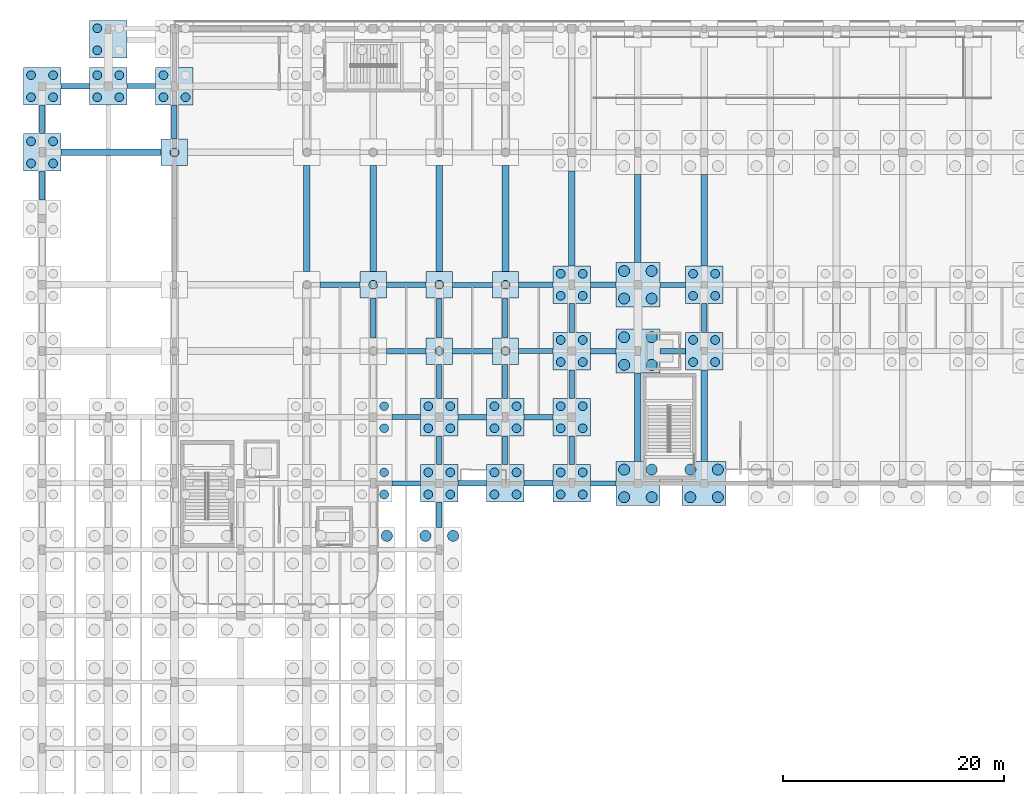
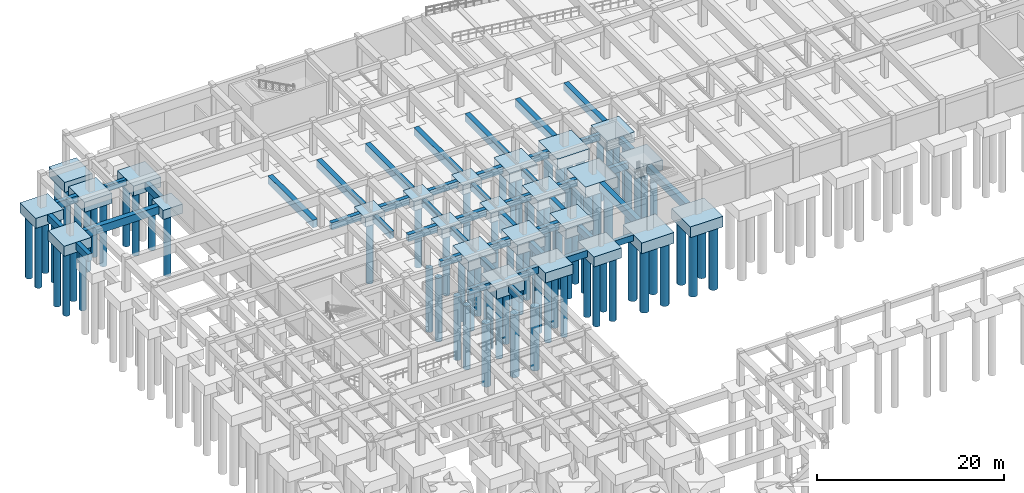
# One storey, part 5 of 32: 86 piles, 70 footings.
"""IFC4 building model written with IfcOpenShell, lengths in metres."""

import ifcopenshell
import ifcopenshell.guid

model = None  # the IFC model being written
_history = None  # IfcOwnerHistory: only IFC2X3 demands one
_inside = {}  # id of a spatial element -> (the spatial element, [elements in it])
_under = {}  # id of a project, library or spatial element -> (it, [spatial elements below it])
_declared = {}  # id of a project -> (the project, [libraries it declares])
_typed = {}  # id of a type object -> (the type object, [elements of that type])
_made_of = {}  # id of a material, layer set ... -> (it, [elements and type objects made of it])


def new_model(schema):
    """Start an empty IFC model of exactly this schema.

    Asked for "IFC4X3", IfcOpenShell would pick the latest addendum, in which some entities
    have other attributes; the version numbers below select the first issue.
    IFC2X3 requires an IfcOwnerHistory on every rooted entity: one is made here for all.
    """
    global model, _history
    if schema == "IFC4X3":
        model = ifcopenshell.file(schema_version=(4, 3, 0, 0))
    else:
        model = ifcopenshell.file(schema=schema)
    _inside.clear()
    _under.clear()
    _declared.clear()
    _typed.clear()
    _made_of.clear()
    _history = None
    if model.schema == "IFC2X3":
        org = make("IfcOrganization", Name="unknown")
        user = make(
            "IfcPersonAndOrganization",
            ThePerson=make("IfcPerson", FamilyName="unknown"),
            TheOrganization=org,
        )
        app = make(
            "IfcApplication",
            ApplicationDeveloper=org,
            Version="unknown",
            ApplicationFullName="unknown",
            ApplicationIdentifier="unknown",
        )
        _history = make(
            "IfcOwnerHistory",
            OwningUser=user,
            OwningApplication=app,
            ChangeAction="ADDED",
            CreationDate=0,
        )
    return model


def make(cls, **values):
    """One entity of the class cls with the attributes given. An attribute that is None is left unset."""
    return model.create_entity(
        cls, **{name: value for name, value in values.items() if value is not None}
    )


def rooted(cls, **values):
    """An entity with a GlobalId (a new one), such as an element, a storey or a relation."""
    return make(cls, GlobalId=ifcopenshell.guid.new(), OwnerHistory=_history, **values)


def si_unit(unit_type, name, prefix=None):
    """IfcSIUnit, for example si_unit("LENGTHUNIT", "METRE", prefix="MILLI")."""
    return make("IfcSIUnit", UnitType=unit_type, Prefix=prefix, Name=name)


def assignment(units):
    """IfcUnitAssignment: the units of a project."""
    return None if units is None else make("IfcUnitAssignment", Units=units)


def point(xyz):
    """IfcCartesianPoint."""
    return None if xyz is None else make("IfcCartesianPoint", Coordinates=xyz)


def direction(xyz):
    """IfcDirection."""
    return None if xyz is None else make("IfcDirection", DirectionRatios=xyz)


def frame(location, z_axis=None, x_axis=None):
    """IfcAxis2Placement3D, a coordinate frame: its origin and axes. An axis left out is left unset."""
    return make(
        "IfcAxis2Placement3D",
        Location=point(location),
        Axis=direction(z_axis),
        RefDirection=direction(x_axis),
    )


def frame_2d(location, x_axis=None):
    """IfcAxis2Placement2D, a coordinate frame in the plane: its origin and x axis."""
    return make(
        "IfcAxis2Placement2D", Location=point(location), RefDirection=direction(x_axis)
    )


def origin():
    """The frame at (0, 0, 0) with its axes left unset."""
    return frame((0.0, 0.0, 0.0))


def origin_2d():
    """The frame at (0, 0) in the plane with its x axis left unset."""
    return frame_2d((0.0, 0.0))


def place(relative_to, where):
    """IfcLocalPlacement: puts the frame where relative to a parent placement (None: the world)."""
    return make(
        "IfcLocalPlacement", PlacementRelTo=relative_to, RelativePlacement=where
    )


def context(
    kind, dimensions, precision=None, world=None, true_north=None, identifier=None
):
    """IfcGeometricRepresentationContext, for example the 3D "Model" context."""
    return make(
        "IfcGeometricRepresentationContext",
        ContextIdentifier=identifier,
        ContextType=kind,
        CoordinateSpaceDimension=dimensions,
        Precision=precision,
        WorldCoordinateSystem=world,
        TrueNorth=true_north,
    )


def subcontext(parent, identifier, kind, view, scale=None):
    """IfcGeometricRepresentationSubContext, for example "Body" below "Model"."""
    return make(
        "IfcGeometricRepresentationSubContext",
        ContextIdentifier=identifier,
        ContextType=kind,
        ParentContext=parent,
        TargetScale=scale,
        TargetView=view,
    )


def project(units=None, contexts=None):
    """IfcProject with its units and contexts."""
    return rooted(
        "IfcProject",
        Name="project",
        RepresentationContexts=contexts,
        UnitsInContext=assignment(units),
    )


def spatial(cls, under=None, at=None, **own):
    """A site, building, storey or space (cls), placed at a placement, below another one or the project."""
    s = rooted(cls, ObjectPlacement=at, **own)
    if under is not None:
        _under.setdefault(under.id(), (under, []))[1].append(s)
    return s


def profile(cls, at=None, kind="AREA", **sizes):
    """A parametric profile (cls). Its sizes go by their IFC names, for example OverallWidth=200.0."""
    return make(cls, ProfileType=kind, Position=at, **sizes)


def rectangle(**sizes):
    """IfcRectangleProfileDef."""
    return profile("IfcRectangleProfileDef", **sizes)


def circle(**sizes):
    """IfcCircleProfileDef."""
    return profile("IfcCircleProfileDef", **sizes)


def extrude(swept, where, along, depth):
    """IfcExtrudedAreaSolid: the profile swept, set in the frame where, extruded along a direction by depth."""
    return make(
        "IfcExtrudedAreaSolid",
        SweptArea=swept,
        Position=where,
        ExtrudedDirection=direction(along),
        Depth=depth,
    )


def shape(context_of_items, identifier, shape_type, items):
    """IfcShapeRepresentation: the items that make up one representation, for example the "Body"."""
    return make(
        "IfcShapeRepresentation",
        ContextOfItems=context_of_items,
        RepresentationIdentifier=identifier,
        RepresentationType=shape_type,
        Items=items,
    )


def material(Name=None, Category=None):
    """IfcMaterial."""
    return make("IfcMaterial", Name=Name, Category=Category)


def material_profile(
    of_material, cross_section, Name=None, Category=None, Priority=None
):
    """IfcMaterialProfile: a cross section and its material."""
    return make(
        "IfcMaterialProfile",
        Name=Name,
        Material=of_material,
        Profile=cross_section,
        Priority=Priority,
        Category=Category,
    )


def profile_set(profiles, Name=None, composite=None):
    """IfcMaterialProfileSet."""
    return make(
        "IfcMaterialProfileSet",
        Name=Name,
        MaterialProfiles=profiles,
        CompositeProfile=composite,
    )


def made_of(thing, what):
    """Note that an element or type object is made of a material, layer set ...; save() writes the relation."""
    if what is not None:
        _made_of.setdefault(what.id(), (what, []))[1].append(thing)
    return thing


def type_object(cls, material=None, **own):
    """A type object (cls), such as IfcWallType, which elements share."""
    return made_of(rooted(cls, **own), material)


def element(
    cls,
    number,
    at=None,
    inside=None,
    cuts=None,
    type_object=None,
    material=None,
    context=None,
    identifier="Body",
    shape_type=None,
    held_by="IfcProductDefinitionShape",
    body=None,
    shapes=None,
    **own,
):
    """One element of the class cls, such as IfcWall. Its Tag is "e" and its number.

    at: its placement. inside: the storey or other place that contains it. cuts: it is an
    opening in that element (IfcRelVoidsElement). A single representation is given by context,
    identifier, shape_type and body (its items); several are given by shapes. held_by: the class
    of the entity that holds the representations. save() writes the other relations.
    """
    e = rooted(cls, Tag="e%d" % number, ObjectPlacement=at, **own)
    if body is not None:
        shapes = [shape(context, identifier, shape_type, body)]
    if shapes is not None:
        e.Representation = make(held_by, Representations=shapes)
    if inside is not None:
        _inside.setdefault(inside.id(), (inside, []))[1].append(e)
    if cuts is not None:
        rooted(
            "IfcRelVoidsElement", RelatingBuildingElement=cuts, RelatedOpeningElement=e
        )
    if type_object is not None:
        _typed.setdefault(type_object.id(), (type_object, []))[1].append(e)
    return made_of(e, material)


def aggregate(whole, parts):
    """IfcRelAggregates: a whole, such as a stair, and the parts it consists of."""
    return rooted("IfcRelAggregates", RelatingObject=whole, RelatedObjects=parts)


def save(model, path):
    """Write the relations noted so far, then the file.

    IfcRelAggregates (storeys below a building ...), IfcRelContainedInSpatialStructure (elements
    in a storey), IfcRelDefinesByType, IfcRelAssociatesMaterial and IfcRelDeclares: one each for
    every whole, place, type object, material and project.
    """
    for whole, parts in _under.values():
        aggregate(whole, parts)
    for where, things in _inside.values():
        rooted(
            "IfcRelContainedInSpatialStructure",
            RelatedElements=things,
            RelatingStructure=where,
        )
    for kind, things in _typed.values():
        rooted("IfcRelDefinesByType", RelatedObjects=things, RelatingType=kind)
    for what, things in _made_of.values():
        rooted("IfcRelAssociatesMaterial", RelatedObjects=things, RelatingMaterial=what)
    for by, libraries in _declared.values():
        rooted("IfcRelDeclares", RelatingContext=by, RelatedDefinitions=libraries)
    model.write(path)


model = new_model("IFC4")

# Units and contexts
model_context = context("Model", 3, precision=1e-05, world=origin(), true_north=direction((0.0, 1.0)))
body_context = subcontext(model_context, "Body", "Model", "MODEL_VIEW")
ifc_project = project(units=[si_unit("LENGTHUNIT", "METRE"), si_unit("AREAUNIT", "SQUARE_METRE"), si_unit("VOLUMEUNIT", "CUBIC_METRE"), si_unit("PLANEANGLEUNIT", "RADIAN"), si_unit("MASSUNIT", "GRAM", prefix="KILO")], contexts=[model_context])

# Site, building, storey
site_placement = place(None, origin())
site = spatial("IfcSite", under=ifc_project, at=site_placement, CompositionType="ELEMENT")
building_placement = place(site_placement, origin())
building = spatial("IfcBuilding", under=site, at=building_placement, Name="Varnakota Square Police Headquarters", CompositionType="ELEMENT")
storey_placement = place(building_placement, frame((0.0, 0.0, -4.5)))
storey = spatial("IfcBuildingStorey", under=building, at=storey_placement, Name="B1", CompositionType="ELEMENT", Elevation=-4.5)

# Footings
ifc_material_1 = material(Name="Concrete M40", Category="concrete")
ifc_material_profile_1 = material_profile(ifc_material_1, rectangle(XDim=0.5, YDim=0.89990234375, at=origin_2d()), Name="GB 500x900")
ifc_profile_set_1 = profile_set([ifc_material_profile_1], Name="Concrete M40")
footing_type_1 = type_object("IfcFootingType", Name="FT-GB1", PredefinedType="FOOTING_BEAM", material=ifc_profile_set_1)
for number, where, z_axis, x_axis, name in (
    (1, (43.699951171875, 69.0, -0.449951171875), (1.0, 0.0, 0.0), (0.0, 1.0, 0.0), "Ground tie beam GB-0064"),
    (2, (49.699951171875, 69.0, -0.449951171875), (1.0, 0.0, 0.0), (0.0, 1.0, 0.0), "Ground tie beam GB-0065"),
    (3, (43.699951171875, 75.0, -0.449951171875), (1.0, 0.0, 0.0), (0.0, 1.0, 0.0), "Ground tie beam GB-0082"),
    (4, (49.699951171875, 75.0, -0.449951171875), (1.0, 0.0, 0.0), (0.0, 1.0, 0.0), "Ground tie beam GB-0083"),
):
    element("IfcFooting", number, at=place(storey_placement, frame(where, z_axis=z_axis, x_axis=x_axis)), inside=storey, type_object=footing_type_1, Name=name, PredefinedType="FOOTING_BEAM", context=body_context, shape_type="SweptSolid", body=[
        extrude(rectangle(XDim=0.5, YDim=0.89990234375, at=origin_2d()), origin(), (0.0, 0.0, 1.0), 2.60009765625),
    ])
for number, where, z_axis, x_axis, name in (
    (5, (37.199951171875, 81.0, -0.449951171875), (1.0, 0.0, 0.0), (0.0, 1.0, 0.0), "Ground tie beam GB-0094"),
    (6, (43.199951171875, 81.0, -0.449951171875), (1.0, 0.0, 0.0), (0.0, 1.0, 0.0), "Ground tie beam GB-0095"),
):
    element("IfcFooting", number, at=place(storey_placement, frame(where, z_axis=z_axis, x_axis=x_axis)), inside=storey, type_object=footing_type_1, Name=name, PredefinedType="FOOTING_BEAM", context=body_context, shape_type="SweptSolid", body=[
        extrude(rectangle(XDim=0.5, YDim=0.89990234375, at=origin_2d()), origin(), (0.0, 0.0, 1.0), 3.60009765625),
    ])
for number, where, z_axis, x_axis, name in (
    (7, (55.699951171875, 81.0, -0.449951171875), (1.0, 0.0, 0.0), (0.0, 1.0, 0.0), "Ground tie beam GB-0097"),
    (8, (62.0, 81.0, -0.449951171875), (1.0, 0.0, 0.0), (0.0, 1.0, 0.0), "Ground tie beam GB-0098"),
):
    element("IfcFooting", number, at=place(storey_placement, frame(where, z_axis=z_axis, x_axis=x_axis)), inside=storey, type_object=footing_type_1, Name=name, PredefinedType="FOOTING_BEAM", context=body_context, shape_type="SweptSolid", body=[
        extrude(rectangle(XDim=0.5, YDim=0.89990234375, at=origin_2d()), origin(), (0.0, 0.0, 1.0), 2.300048828125),
    ])
for number, where, z_axis, x_axis, name in (
    (9, (31.199951171875, 87.0, -0.449951171875), (1.0, 0.0, 0.0), (0.0, 1.0, 0.0), "Ground tie beam GB-0115"),
    (10, (37.199951171875, 87.0, -0.449951171875), (1.0, 0.0, 0.0), (0.0, 1.0, 0.0), "Ground tie beam GB-0116"),
):
    element("IfcFooting", number, at=place(storey_placement, frame(where, z_axis=z_axis, x_axis=x_axis)), inside=storey, type_object=footing_type_1, Name=name, PredefinedType="FOOTING_BEAM", context=body_context, shape_type="SweptSolid", body=[
        extrude(rectangle(XDim=0.5, YDim=0.89990234375, at=origin_2d()), origin(), (0.0, 0.0, 1.0), 3.60009765625),
    ])
footing_1_placement = place(storey_placement, frame((49.199951171875, 87.0, -0.449951171875), z_axis=(1.0, 0.0, 0.0), x_axis=(0.0, 1.0, 0.0)))
element("IfcFooting", 11, at=footing_1_placement, inside=storey, type_object=footing_type_1, Name="Ground tie beam GB-0118", PredefinedType="FOOTING_BEAM", context=body_context, shape_type="SweptSolid", body=[
    extrude(rectangle(XDim=0.5, YDim=0.89990234375, at=origin_2d()), origin(), (0.0, 0.0, 1.0), 3.10009765625),
])
footing_2_placement = place(storey_placement, frame((55.699951171875, 87.0, -0.449951171875), z_axis=(1.0, 0.0, 0.0), x_axis=(0.0, 1.0, 0.0)))
element("IfcFooting", 12, at=footing_2_placement, inside=storey, type_object=footing_type_1, Name="Ground tie beam GB-0119", PredefinedType="FOOTING_BEAM", context=body_context, shape_type="SweptSolid", body=[
    extrude(rectangle(XDim=0.5, YDim=0.89990234375, at=origin_2d()), origin(), (0.0, 0.0, 1.0), 2.300048828125),
])
for number, where, z_axis, x_axis, name in (
    (13, (7.699951171875, 105.0, -0.449951171875), (1.0, 0.0, 0.0), (0.0, 1.0, 0.0), "Ground tie beam GB-0152"),
    (14, (6.0, 94.699951171875, -0.449951171875), (0.0, 1.0, 0.0), (-1.0, 0.0, 0.0), "Ground tie beam GB-0188"),
    (15, (6.0, 100.699951171875, -0.449951171875), (0.0, 1.0, 0.0), (-1.0, 0.0, 0.0), "Ground tie beam GB-0189"),
):
    element("IfcFooting", number, at=place(storey_placement, frame(where, z_axis=z_axis, x_axis=x_axis)), inside=storey, type_object=footing_type_1, Name=name, PredefinedType="FOOTING_BEAM", context=body_context, shape_type="SweptSolid", body=[
        extrude(rectangle(XDim=0.5, YDim=0.89990234375, at=origin_2d()), origin(), (0.0, 0.0, 1.0), 2.60009765625),
    ])
footing_3_placement = place(storey_placement, frame((18.0, 100.199951171875, -0.449951171875), z_axis=(0.0, 1.0, 0.0), x_axis=(-1.0, 0.0, 0.0)))
element("IfcFooting", 16, at=footing_3_placement, inside=storey, type_object=footing_type_1, Name="Ground tie beam GB-0203", PredefinedType="FOOTING_BEAM", context=body_context, shape_type="SweptSolid", body=[
    extrude(rectangle(XDim=0.5, YDim=0.89990234375, at=origin_2d()), origin(), (0.0, 0.0, 1.0), 3.10009765625),
])
footing_4_placement = place(storey_placement, frame((36.0, 82.199951171875, -0.449951171875), z_axis=(0.0, 1.0, 0.0), x_axis=(-1.0, 0.0, 0.0)))
element("IfcFooting", 17, at=footing_4_placement, inside=storey, type_object=footing_type_1, Name="Ground tie beam GB-0224", PredefinedType="FOOTING_BEAM", context=body_context, shape_type="SweptSolid", body=[
    extrude(rectangle(XDim=0.5, YDim=0.89990234375, at=origin_2d()), origin(), (0.0, 0.0, 1.0), 3.60009765625),
])
footing_5_placement = place(storey_placement, frame((42.0, 65.0, -0.449951171875), z_axis=(0.0, 1.0, 0.0), x_axis=(-1.0, 0.0, 0.0)))
element("IfcFooting", 18, at=footing_5_placement, inside=storey, type_object=footing_type_1, Name="Ground tie beam GB-0230", PredefinedType="FOOTING_BEAM", context=body_context, shape_type="SweptSolid", body=[
    extrude(rectangle(XDim=0.5, YDim=0.89990234375, at=origin_2d()), origin(), (0.0, 0.0, 1.0), 2.300048828125),
])
footing_6_placement = place(storey_placement, frame((42.0, 70.699951171875, -0.449951171875), z_axis=(0.0, 1.0, 0.0), x_axis=(-1.0, 0.0, 0.0)))
element("IfcFooting", 19, at=footing_6_placement, inside=storey, type_object=footing_type_1, Name="Ground tie beam GB-0231", PredefinedType="FOOTING_BEAM", context=body_context, shape_type="SweptSolid", body=[
    extrude(rectangle(XDim=0.5, YDim=0.89990234375, at=origin_2d()), origin(), (0.0, 0.0, 1.0), 2.60009765625),
])
footing_7_placement = place(storey_placement, frame((42.0, 76.699951171875, -0.449951171875), z_axis=(0.0, 1.0, 0.0), x_axis=(-1.0, 0.0, 0.0)))
element("IfcFooting", 20, at=footing_7_placement, inside=storey, type_object=footing_type_1, Name="Ground tie beam GB-0232", PredefinedType="FOOTING_BEAM", context=body_context, shape_type="SweptSolid", body=[
    extrude(rectangle(XDim=0.5, YDim=0.89990234375, at=origin_2d()), origin(), (0.0, 0.0, 1.0), 3.10009765625),
])
footing_8_placement = place(storey_placement, frame((42.0, 82.199951171875, -0.449951171875), z_axis=(0.0, 1.0, 0.0), x_axis=(-1.0, 0.0, 0.0)))
element("IfcFooting", 21, at=footing_8_placement, inside=storey, type_object=footing_type_1, Name="Ground tie beam GB-0233", PredefinedType="FOOTING_BEAM", context=body_context, shape_type="SweptSolid", body=[
    extrude(rectangle(XDim=0.5, YDim=0.89990234375, at=origin_2d()), origin(), (0.0, 0.0, 1.0), 3.60009765625),
])
footing_9_placement = place(storey_placement, frame((48.0, 70.699951171875, -0.449951171875), z_axis=(0.0, 1.0, 0.0), x_axis=(-1.0, 0.0, 0.0)))
element("IfcFooting", 22, at=footing_9_placement, inside=storey, type_object=footing_type_1, Name="Ground tie beam GB-0239", PredefinedType="FOOTING_BEAM", context=body_context, shape_type="SweptSolid", body=[
    extrude(rectangle(XDim=0.5, YDim=0.89990234375, at=origin_2d()), origin(), (0.0, 0.0, 1.0), 2.60009765625),
])
footing_10_placement = place(storey_placement, frame((48.0, 76.699951171875, -0.449951171875), z_axis=(0.0, 1.0, 0.0), x_axis=(-1.0, 0.0, 0.0)))
element("IfcFooting", 23, at=footing_10_placement, inside=storey, type_object=footing_type_1, Name="Ground tie beam GB-0240", PredefinedType="FOOTING_BEAM", context=body_context, shape_type="SweptSolid", body=[
    extrude(rectangle(XDim=0.5, YDim=0.89990234375, at=origin_2d()), origin(), (0.0, 0.0, 1.0), 3.10009765625),
])
footing_11_placement = place(storey_placement, frame((48.0, 82.199951171875, -0.449951171875), z_axis=(0.0, 1.0, 0.0), x_axis=(-1.0, 0.0, 0.0)))
element("IfcFooting", 24, at=footing_11_placement, inside=storey, type_object=footing_type_1, Name="Ground tie beam GB-0241", PredefinedType="FOOTING_BEAM", context=body_context, shape_type="SweptSolid", body=[
    extrude(rectangle(XDim=0.5, YDim=0.89990234375, at=origin_2d()), origin(), (0.0, 0.0, 1.0), 3.60009765625),
])
for number, where, z_axis, x_axis, name in (
    (25, (54.0, 70.699951171875, -0.449951171875), (0.0, 1.0, 0.0), (-1.0, 0.0, 0.0), "Ground tie beam GB-0250"),
    (26, (54.0, 76.699951171875, -0.449951171875), (0.0, 1.0, 0.0), (-1.0, 0.0, 0.0), "Ground tie beam GB-0251"),
    (27, (54.0, 82.699951171875, -0.449951171875), (0.0, 1.0, 0.0), (-1.0, 0.0, 0.0), "Ground tie beam GB-0252"),
    (28, (66.0, 82.699951171875, -0.449951171875), (0.0, 1.0, 0.0), (-1.0, 0.0, 0.0), "Ground tie beam GB-0263"),
):
    element("IfcFooting", number, at=place(storey_placement, frame(where, z_axis=z_axis, x_axis=x_axis)), inside=storey, type_object=footing_type_1, Name=name, PredefinedType="FOOTING_BEAM", context=body_context, shape_type="SweptSolid", body=[
        extrude(rectangle(XDim=0.5, YDim=0.89990234375, at=origin_2d()), origin(), (0.0, 0.0, 1.0), 2.60009765625),
    ])
ifc_material_profile_2 = material_profile(ifc_material_1, rectangle(XDim=0.60009765625, YDim=1.0, at=origin_2d()), Name="GB 600x1000")
ifc_profile_set_2 = profile_set([ifc_material_profile_2], Name="Concrete M40")
footing_type_2 = type_object("IfcFootingType", Name="FT-GB2", PredefinedType="FOOTING_BEAM", material=ifc_profile_set_2)
footing_12_placement = place(storey_placement, frame((7.699951171875, 99.0, -0.5), z_axis=(1.0, 0.0, 0.0), x_axis=(0.0, 1.0, 0.0)))
element("IfcFooting", 29, at=footing_12_placement, inside=storey, type_object=footing_type_2, Name="Ground tie beam GB-0137", PredefinedType="FOOTING_BEAM", context=body_context, shape_type="SweptSolid", body=[
    extrude(rectangle(XDim=0.60009765625, YDim=1.0, at=origin_2d()), origin(), (0.0, 0.0, 1.0), 9.10009765625),
])
for number, where, z_axis, x_axis, name in (
    (30, (30.0, 88.199951171875, -0.5), (0.0, 1.0, 0.0), (-1.0, 0.0, 0.0), "Ground tie beam GB-0216"),
    (31, (36.0, 88.199951171875, -0.5), (0.0, 1.0, 0.0), (-1.0, 0.0, 0.0), "Ground tie beam GB-0225"),
    (32, (42.0, 88.199951171875, -0.5), (0.0, 1.0, 0.0), (-1.0, 0.0, 0.0), "Ground tie beam GB-0234"),
    (33, (48.0, 88.199951171875, -0.5), (0.0, 1.0, 0.0), (-1.0, 0.0, 0.0), "Ground tie beam GB-0242"),
):
    element("IfcFooting", number, at=place(storey_placement, frame(where, z_axis=z_axis, x_axis=x_axis)), inside=storey, type_object=footing_type_2, Name=name, PredefinedType="FOOTING_BEAM", context=body_context, shape_type="SweptSolid", body=[
        extrude(rectangle(XDim=0.60009765625, YDim=1.0, at=origin_2d()), origin(), (0.0, 0.0, 1.0), 9.60009765625),
    ])
footing_13_placement = place(storey_placement, frame((54.0, 88.699951171875, -0.5), z_axis=(0.0, 1.0, 0.0), x_axis=(-1.0, 0.0, 0.0)))
element("IfcFooting", 34, at=footing_13_placement, inside=storey, type_object=footing_type_2, Name="Ground tie beam GB-0253", PredefinedType="FOOTING_BEAM", context=body_context, shape_type="SweptSolid", body=[
    extrude(rectangle(XDim=0.60009765625, YDim=1.0, at=origin_2d()), origin(), (0.0, 0.0, 1.0), 8.60009765625),
])
for number, where, z_axis, x_axis, name in (
    (35, (60.0, 71.0, -0.5), (0.0, 1.0, 0.0), (-1.0, 0.0, 0.0), "Ground tie beam GB-0258"),
    (36, (60.0, 89.0, -0.5), (0.0, 1.0, 0.0), (-1.0, 0.0, 0.0), "Ground tie beam GB-0259"),
):
    element("IfcFooting", number, at=place(storey_placement, frame(where, z_axis=z_axis, x_axis=x_axis)), inside=storey, type_object=footing_type_2, Name=name, PredefinedType="FOOTING_BEAM", context=body_context, shape_type="SweptSolid", body=[
        extrude(rectangle(XDim=0.60009765625, YDim=1.0, at=origin_2d()), origin(), (0.0, 0.0, 1.0), 8.0),
    ])
for number, where, z_axis, x_axis, name in (
    (37, (66.0, 71.0, -0.5), (0.0, 1.0, 0.0), (-1.0, 0.0, 0.0), "Ground tie beam GB-0262"),
    (38, (66.0, 88.699951171875, -0.5), (0.0, 1.0, 0.0), (-1.0, 0.0, 0.0), "Ground tie beam GB-0264"),
):
    element("IfcFooting", number, at=place(storey_placement, frame(where, z_axis=z_axis, x_axis=x_axis)), inside=storey, type_object=footing_type_2, Name=name, PredefinedType="FOOTING_BEAM", context=body_context, shape_type="SweptSolid", body=[
        extrude(rectangle(XDim=0.60009765625, YDim=1.0, at=origin_2d()), origin(), (0.0, 0.0, 1.0), 8.300048828125),
    ])
ifc_material_profile_3 = material_profile(ifc_material_1, rectangle(XDim=0.449951171875, YDim=0.800048828125, at=origin_2d()), Name="GB 450x800")
ifc_profile_set_3 = profile_set([ifc_material_profile_3], Name="Concrete M40")
footing_type_3 = type_object("IfcFootingType", Name="FT-GB3", PredefinedType="FOOTING_BEAM", material=ifc_profile_set_3)
footing_14_placement = place(storey_placement, frame((37.699951171875, 69.0, -0.39990234375), z_axis=(1.0, 0.0, 0.0), x_axis=(0.0, 1.0, 0.0)))
element("IfcFooting", 39, at=footing_14_placement, inside=storey, type_object=footing_type_3, Name="Ground tie beam GB-0063", PredefinedType="FOOTING_BEAM", context=body_context, shape_type="SweptSolid", body=[
    extrude(rectangle(XDim=0.449951171875, YDim=0.800048828125, at=origin_2d()), origin(), (0.0, 0.0, 1.0), 2.60009765625),
])
footing_15_placement = place(storey_placement, frame((55.699951171875, 69.0, -0.39990234375), z_axis=(1.0, 0.0, 0.0), x_axis=(0.0, 1.0, 0.0)))
element("IfcFooting", 40, at=footing_15_placement, inside=storey, type_object=footing_type_3, Name="Ground tie beam GB-0066", PredefinedType="FOOTING_BEAM", context=body_context, shape_type="SweptSolid", body=[
    extrude(rectangle(XDim=0.449951171875, YDim=0.800048828125, at=origin_2d()), origin(), (0.0, 0.0, 1.0), 2.300048828125),
])
footing_16_placement = place(storey_placement, frame((37.699951171875, 75.0, -0.39990234375), z_axis=(1.0, 0.0, 0.0), x_axis=(0.0, 1.0, 0.0)))
element("IfcFooting", 41, at=footing_16_placement, inside=storey, type_object=footing_type_3, Name="Ground tie beam GB-0081", PredefinedType="FOOTING_BEAM", context=body_context, shape_type="SweptSolid", body=[
    extrude(rectangle(XDim=0.449951171875, YDim=0.800048828125, at=origin_2d()), origin(), (0.0, 0.0, 1.0), 2.60009765625),
])
footing_17_placement = place(storey_placement, frame((49.199951171875, 81.0, -0.39990234375), z_axis=(1.0, 0.0, 0.0), x_axis=(0.0, 1.0, 0.0)))
element("IfcFooting", 42, at=footing_17_placement, inside=storey, type_object=footing_type_3, Name="Ground tie beam GB-0096", PredefinedType="FOOTING_BEAM", context=body_context, shape_type="SweptSolid", body=[
    extrude(rectangle(XDim=0.449951171875, YDim=0.800048828125, at=origin_2d()), origin(), (0.0, 0.0, 1.0), 3.10009765625),
])
footing_18_placement = place(storey_placement, frame((43.199951171875, 87.0, -0.39990234375), z_axis=(1.0, 0.0, 0.0), x_axis=(0.0, 1.0, 0.0)))
element("IfcFooting", 43, at=footing_18_placement, inside=storey, type_object=footing_type_3, Name="Ground tie beam GB-0117", PredefinedType="FOOTING_BEAM", context=body_context, shape_type="SweptSolid", body=[
    extrude(rectangle(XDim=0.449951171875, YDim=0.800048828125, at=origin_2d()), origin(), (0.0, 0.0, 1.0), 3.60009765625),
])
footing_19_placement = place(storey_placement, frame((62.0, 87.0, -0.39990234375), z_axis=(1.0, 0.0, 0.0), x_axis=(0.0, 1.0, 0.0)))
element("IfcFooting", 44, at=footing_19_placement, inside=storey, type_object=footing_type_3, Name="Ground tie beam GB-0120", PredefinedType="FOOTING_BEAM", context=body_context, shape_type="SweptSolid", body=[
    extrude(rectangle(XDim=0.449951171875, YDim=0.800048828125, at=origin_2d()), origin(), (0.0, 0.0, 1.0), 2.300048828125),
])
footing_20_placement = place(storey_placement, frame((13.699951171875, 105.0, -0.39990234375), z_axis=(1.0, 0.0, 0.0), x_axis=(0.0, 1.0, 0.0)))
element("IfcFooting", 45, at=footing_20_placement, inside=storey, type_object=footing_type_3, Name="Ground tie beam GB-0153", PredefinedType="FOOTING_BEAM", context=body_context, shape_type="SweptSolid", body=[
    extrude(rectangle(XDim=0.449951171875, YDim=0.800048828125, at=origin_2d()), origin(), (0.0, 0.0, 1.0), 2.60009765625),
])
footing_type_4 = type_object("IfcFootingType", Name="FT-PC1", PredefinedType="PILE_CAP", material=ifc_material_1)
for number, where, z_axis, x_axis, name in (
    (46, (18.0, 99.0, -1.2001953125), (0.0, 0.0, 1.0), (1.0, 0.0, 0.0), "Pile cap CAP-X0180-Y0990"),
    (47, (36.0, 87.0, -1.2001953125), (0.0, 0.0, 1.0), (1.0, 0.0, 0.0), "Pile cap CAP-X0360-Y0870"),
    (48, (42.0, 81.0, -1.2001953125), (0.0, 0.0, 1.0), (1.0, 0.0, 0.0), "Pile cap CAP-X0420-Y0810"),
    (49, (42.0, 87.0, -1.2001953125), (0.0, 0.0, 1.0), (1.0, 0.0, 0.0), "Pile cap CAP-X0420-Y0870"),
    (50, (48.0, 81.0, -1.2001953125), (0.0, 0.0, 1.0), (1.0, 0.0, 0.0), "Pile cap CAP-X0480-Y0810"),
    (51, (48.0, 87.0, -1.2001953125), (0.0, 0.0, 1.0), (1.0, 0.0, 0.0), "Pile cap CAP-X0480-Y0870"),
):
    element("IfcFooting", number, at=place(storey_placement, frame(where, z_axis=z_axis, x_axis=x_axis)), inside=storey, type_object=footing_type_4, Name=name, PredefinedType="PILE_CAP", context=body_context, shape_type="SweptSolid", body=[
        extrude(rectangle(XDim=2.39990234375, YDim=2.39990234375, at=origin_2d()), origin(), (0.0, 0.0, 1.0), 1.199951171875),
    ])
footing_type_5 = type_object("IfcFootingType", Name="FT-PC4", PredefinedType="PILE_CAP", material=ifc_material_1)
for number, where, z_axis, x_axis, name in (
    (52, (6.0, 99.0, -1.2998046875), (0.0, 0.0, 1.0), (1.0, 0.0, 0.0), "Pile cap CAP-X0060-Y0990"),
    (53, (6.0, 105.0, -1.2998046875), (0.0, 0.0, 1.0), (1.0, 0.0, 0.0), "Pile cap CAP-X0060-Y1050"),
    (54, (12.0, 105.0, -1.2998046875), (0.0, 0.0, 1.0), (1.0, 0.0, 0.0), "Pile cap CAP-X0120-Y1050"),
    (55, (12.0, 109.25, -1.2998046875), (0.0, 0.0, 1.0), (1.0, 0.0, 0.0), "Pile cap CAP-X0120-Y1102"),
    (56, (18.0, 105.0, -1.2998046875), (0.0, 0.0, 1.0), (1.0, 0.0, 0.0), "Pile cap CAP-X0180-Y1050"),
    (57, (42.0, 69.0, -1.2998046875), (0.0, 0.0, 1.0), (1.0, 0.0, 0.0), "Pile cap CAP-X0420-Y0690"),
    (58, (42.0, 75.0, -1.2998046875), (0.0, 0.0, 1.0), (1.0, 0.0, 0.0), "Pile cap CAP-X0420-Y0750"),
    (59, (48.0, 69.0, -1.2998046875), (0.0, 0.0, 1.0), (1.0, 0.0, 0.0), "Pile cap CAP-X0480-Y0690"),
    (60, (48.0, 75.0, -1.2998046875), (0.0, 0.0, 1.0), (1.0, 0.0, 0.0), "Pile cap CAP-X0480-Y0750"),
    (61, (54.0, 69.0, -1.2998046875), (0.0, 0.0, 1.0), (1.0, 0.0, 0.0), "Pile cap CAP-X0540-Y0690"),
    (62, (54.0, 75.0, -1.2998046875), (0.0, 0.0, 1.0), (1.0, 0.0, 0.0), "Pile cap CAP-X0540-Y0750"),
    (63, (54.0, 81.0, -1.2998046875), (0.0, 0.0, 1.0), (1.0, 0.0, 0.0), "Pile cap CAP-X0540-Y0810"),
    (64, (54.0, 87.0, -1.2998046875), (0.0, 0.0, 1.0), (1.0, 0.0, 0.0), "Pile cap CAP-X0540-Y0870"),
    (65, (66.0, 81.0, -1.2998046875), (0.0, 0.0, 1.0), (1.0, 0.0, 0.0), "Pile cap CAP-X0660-Y0810"),
    (66, (66.0, 87.0, -1.2998046875), (0.0, 0.0, 1.0), (1.0, 0.0, 0.0), "Pile cap CAP-X0660-Y0870"),
):
    element("IfcFooting", number, at=place(storey_placement, frame(where, z_axis=z_axis, x_axis=x_axis)), inside=storey, type_object=footing_type_5, Name=name, PredefinedType="PILE_CAP", context=body_context, shape_type="SweptSolid", body=[
        extrude(rectangle(XDim=3.39990234375, YDim=3.39990234375, at=origin_2d()), origin(), (0.0, 0.0, 1.0), 1.300048828125),
    ])
ifc_material_2 = material(Name="Concrete M50", Category="concrete")
footing_type_6 = type_object("IfcFootingType", Name="FT-PC6", PredefinedType="PILE_CAP", material=ifc_material_2)
for number, where, z_axis, x_axis, name in (
    (67, (60.0, 69.0, -1.39990234375), (0.0, 0.0, 1.0), (1.0, 0.0, 0.0), "Pile cap CAP-X0600-Y0690"),
    (68, (60.0, 81.0, -1.39990234375), (0.0, 0.0, 1.0), (1.0, 0.0, 0.0), "Pile cap CAP-X0600-Y0810"),
    (69, (60.0, 87.0, -1.39990234375), (0.0, 0.0, 1.0), (1.0, 0.0, 0.0), "Pile cap CAP-X0600-Y0870"),
    (70, (66.0, 69.0, -1.39990234375), (0.0, 0.0, 1.0), (1.0, 0.0, 0.0), "Pile cap CAP-X0660-Y0690"),
):
    element("IfcFooting", number, at=place(storey_placement, frame(where, z_axis=z_axis, x_axis=x_axis)), inside=storey, type_object=footing_type_6, Name=name, PredefinedType="PILE_CAP", context=body_context, shape_type="SweptSolid", body=[
        extrude(rectangle(XDim=4.0, YDim=4.0, at=origin_2d()), origin(), (0.0, 0.0, 1.0), 1.39990234375),
    ])

# Piles
ifc_material_profile_4 = material_profile(ifc_material_2, circle(Radius=0.5, at=origin_2d()), Name="BORED PILE 1000")
ifc_profile_set_4 = profile_set([ifc_material_profile_4], Name="Concrete M50")
pile_type_1 = type_object("IfcPileType", Name="PILE-D1000", PredefinedType="BORED", material=ifc_profile_set_4)
for number, where, z_axis, x_axis, name in (
    (71, (37.25, 64.25, -1.300048828125), (0.0, 0.0, -1.0), (1.0, 0.0, 0.0), "Bored pile PLG-0330"),
    (72, (40.75, 64.25, -1.300048828125), (0.0, 0.0, -1.0), (1.0, 0.0, 0.0), "Bored pile PLG-0387"),
    (73, (43.25, 64.25, -1.300048828125), (0.0, 0.0, -1.0), (1.0, 0.0, 0.0), "Bored pile PLG-0389"),
    (74, (58.75, 67.75, -1.300048828125), (0.0, 0.0, -1.0), (1.0, 0.0, 0.0), "Bored pile PLG-0500"),
    (75, (58.75, 70.25, -1.300048828125), (0.0, 0.0, -1.0), (1.0, 0.0, 0.0), "Bored pile PLG-0501"),
    (76, (61.25, 67.75, -1.300048828125), (0.0, 0.0, -1.0), (1.0, 0.0, 0.0), "Bored pile PLG-0502"),
    (77, (61.25, 70.25, -1.300048828125), (0.0, 0.0, -1.0), (1.0, 0.0, 0.0), "Bored pile PLG-0503"),
    (78, (58.75, 79.75, -1.300048828125), (0.0, 0.0, -1.0), (1.0, 0.0, 0.0), "Bored pile PLG-0504"),
    (79, (58.75, 82.25, -1.300048828125), (0.0, 0.0, -1.0), (1.0, 0.0, 0.0), "Bored pile PLG-0505"),
    (80, (61.25, 79.75, -1.300048828125), (0.0, 0.0, -1.0), (1.0, 0.0, 0.0), "Bored pile PLG-0506"),
    (81, (61.25, 82.25, -1.300048828125), (0.0, 0.0, -1.0), (1.0, 0.0, 0.0), "Bored pile PLG-0507"),
    (82, (58.75, 85.75, -1.300048828125), (0.0, 0.0, -1.0), (1.0, 0.0, 0.0), "Bored pile PLG-0508"),
    (83, (58.75, 88.25, -1.300048828125), (0.0, 0.0, -1.0), (1.0, 0.0, 0.0), "Bored pile PLG-0509"),
    (84, (61.25, 85.75, -1.300048828125), (0.0, 0.0, -1.0), (1.0, 0.0, 0.0), "Bored pile PLG-0510"),
    (85, (61.25, 88.25, -1.300048828125), (0.0, 0.0, -1.0), (1.0, 0.0, 0.0), "Bored pile PLG-0511"),
    (86, (64.75, 67.75, -1.300048828125), (0.0, 0.0, -1.0), (1.0, 0.0, 0.0), "Bored pile PLG-0523"),
    (87, (64.75, 70.25, -1.300048828125), (0.0, 0.0, -1.0), (1.0, 0.0, 0.0), "Bored pile PLG-0524"),
    (88, (67.25, 67.75, -1.300048828125), (0.0, 0.0, -1.0), (1.0, 0.0, 0.0), "Bored pile PLG-0525"),
    (89, (67.25, 70.25, -1.300048828125), (0.0, 0.0, -1.0), (1.0, 0.0, 0.0), "Bored pile PLG-0526"),
):
    element("IfcPile", number, at=place(storey_placement, frame(where, z_axis=z_axis, x_axis=x_axis)), inside=storey, type_object=pile_type_1, Name=name, PredefinedType="BORED", context=body_context, shape_type="SweptSolid", body=[
        extrude(circle(Radius=0.5, at=origin_2d()), origin(), (0.0, 0.0, 1.0), 8.199951171875),
    ])
ifc_material_profile_5 = material_profile(ifc_material_1, circle(Radius=0.39990234375, at=origin_2d()), Name="BORED PILE 800")
ifc_profile_set_5 = profile_set([ifc_material_profile_5], Name="Concrete M40")
pile_type_2 = type_object("IfcPileType", Name="PILE-D800", PredefinedType="BORED", material=ifc_profile_set_5)
for number, where, z_axis, x_axis, name in (
    (90, (5.0, 98.0, -1.199951171875), (0.0, 0.0, -1.0), (1.0, 0.0, 0.0), "Bored pile PLG-0053"),
    (91, (5.0, 100.0, -1.199951171875), (0.0, 0.0, -1.0), (1.0, 0.0, 0.0), "Bored pile PLG-0054"),
    (92, (7.0, 98.0, -1.199951171875), (0.0, 0.0, -1.0), (1.0, 0.0, 0.0), "Bored pile PLG-0055"),
    (93, (7.0, 100.0, -1.199951171875), (0.0, 0.0, -1.0), (1.0, 0.0, 0.0), "Bored pile PLG-0056"),
    (94, (5.0, 104.0, -1.199951171875), (0.0, 0.0, -1.0), (1.0, 0.0, 0.0), "Bored pile PLG-0057"),
    (95, (5.0, 106.0, -1.199951171875), (0.0, 0.0, -1.0), (1.0, 0.0, 0.0), "Bored pile PLG-0058"),
    (96, (7.0, 104.0, -1.199951171875), (0.0, 0.0, -1.0), (1.0, 0.0, 0.0), "Bored pile PLG-0059"),
    (97, (7.0, 106.0, -1.199951171875), (0.0, 0.0, -1.0), (1.0, 0.0, 0.0), "Bored pile PLG-0060"),
    (98, (11.0, 104.0, -1.199951171875), (0.0, 0.0, -1.0), (1.0, 0.0, 0.0), "Bored pile PLG-0113"),
    (99, (11.0, 106.0, -1.199951171875), (0.0, 0.0, -1.0), (1.0, 0.0, 0.0), "Bored pile PLG-0114"),
    (100, (13.0, 104.0, -1.199951171875), (0.0, 0.0, -1.0), (1.0, 0.0, 0.0), "Bored pile PLG-0115"),
    (101, (13.0, 106.0, -1.199951171875), (0.0, 0.0, -1.0), (1.0, 0.0, 0.0), "Bored pile PLG-0116"),
    (102, (11.0, 108.25, -1.199951171875), (0.0, 0.0, -1.0), (1.0, 0.0, 0.0), "Bored pile PLG-0117"),
    (103, (11.0, 110.25, -1.199951171875), (0.0, 0.0, -1.0), (1.0, 0.0, 0.0), "Bored pile PLG-0118"),
):
    element("IfcPile", number, at=place(storey_placement, frame(where, z_axis=z_axis, x_axis=x_axis)), inside=storey, type_object=pile_type_2, Name=name, PredefinedType="BORED", context=body_context, shape_type="SweptSolid", body=[
        extrude(circle(Radius=0.39990234375, at=origin_2d()), origin(), (0.0, 0.0, 1.0), 8.300048828125),
    ])
pile_1_placement = place(storey_placement, frame((18.0, 99.0, -1.10009765625), z_axis=(0.0, 0.0, -1.0), x_axis=(1.0, 0.0, 0.0)))
element("IfcPile", 104, at=pile_1_placement, inside=storey, type_object=pile_type_2, Name="Bored pile PLG-0175", PredefinedType="BORED", context=body_context, shape_type="SweptSolid", body=[
    extrude(circle(Radius=0.39990234375, at=origin_2d()), origin(), (0.0, 0.0, 1.0), 8.39990234375),
])
for number, where, z_axis, x_axis, name in (
    (105, (17.0, 104.0, -1.199951171875), (0.0, 0.0, -1.0), (1.0, 0.0, 0.0), "Bored pile PLG-0176"),
    (106, (17.0, 106.0, -1.199951171875), (0.0, 0.0, -1.0), (1.0, 0.0, 0.0), "Bored pile PLG-0177"),
    (107, (19.0, 104.0, -1.199951171875), (0.0, 0.0, -1.0), (1.0, 0.0, 0.0), "Bored pile PLG-0178"),
    (108, (37.0, 68.0, -1.199951171875), (0.0, 0.0, -1.0), (1.0, 0.0, 0.0), "Bored pile PLG-0333"),
    (109, (37.0, 70.0, -1.199951171875), (0.0, 0.0, -1.0), (1.0, 0.0, 0.0), "Bored pile PLG-0334"),
    (110, (37.0, 74.0, -1.199951171875), (0.0, 0.0, -1.0), (1.0, 0.0, 0.0), "Bored pile PLG-0337"),
    (111, (37.0, 76.0, -1.199951171875), (0.0, 0.0, -1.0), (1.0, 0.0, 0.0), "Bored pile PLG-0338"),
):
    element("IfcPile", number, at=place(storey_placement, frame(where, z_axis=z_axis, x_axis=x_axis)), inside=storey, type_object=pile_type_2, Name=name, PredefinedType="BORED", context=body_context, shape_type="SweptSolid", body=[
        extrude(circle(Radius=0.39990234375, at=origin_2d()), origin(), (0.0, 0.0, 1.0), 8.300048828125),
    ])
pile_2_placement = place(storey_placement, frame((36.0, 87.0, -1.10009765625), z_axis=(0.0, 0.0, -1.0), x_axis=(1.0, 0.0, 0.0)))
element("IfcPile", 112, at=pile_2_placement, inside=storey, type_object=pile_type_2, Name="Bored pile PLG-0340", PredefinedType="BORED", context=body_context, shape_type="SweptSolid", body=[
    extrude(circle(Radius=0.39990234375, at=origin_2d()), origin(), (0.0, 0.0, 1.0), 8.39990234375),
])
for number, where, z_axis, x_axis, name in (
    (113, (41.0, 68.0, -1.199951171875), (0.0, 0.0, -1.0), (1.0, 0.0, 0.0), "Bored pile PLG-0390"),
    (114, (41.0, 70.0, -1.199951171875), (0.0, 0.0, -1.0), (1.0, 0.0, 0.0), "Bored pile PLG-0391"),
    (115, (43.0, 68.0, -1.199951171875), (0.0, 0.0, -1.0), (1.0, 0.0, 0.0), "Bored pile PLG-0392"),
    (116, (43.0, 70.0, -1.199951171875), (0.0, 0.0, -1.0), (1.0, 0.0, 0.0), "Bored pile PLG-0393"),
    (117, (41.0, 74.0, -1.199951171875), (0.0, 0.0, -1.0), (1.0, 0.0, 0.0), "Bored pile PLG-0394"),
    (118, (41.0, 76.0, -1.199951171875), (0.0, 0.0, -1.0), (1.0, 0.0, 0.0), "Bored pile PLG-0395"),
    (119, (43.0, 74.0, -1.199951171875), (0.0, 0.0, -1.0), (1.0, 0.0, 0.0), "Bored pile PLG-0396"),
    (120, (43.0, 76.0, -1.199951171875), (0.0, 0.0, -1.0), (1.0, 0.0, 0.0), "Bored pile PLG-0397"),
):
    element("IfcPile", number, at=place(storey_placement, frame(where, z_axis=z_axis, x_axis=x_axis)), inside=storey, type_object=pile_type_2, Name=name, PredefinedType="BORED", context=body_context, shape_type="SweptSolid", body=[
        extrude(circle(Radius=0.39990234375, at=origin_2d()), origin(), (0.0, 0.0, 1.0), 8.300048828125),
    ])
for number, where, z_axis, x_axis, name in (
    (121, (42.0, 81.0, -1.10009765625), (0.0, 0.0, -1.0), (1.0, 0.0, 0.0), "Bored pile PLG-0398"),
    (122, (42.0, 87.0, -1.10009765625), (0.0, 0.0, -1.0), (1.0, 0.0, 0.0), "Bored pile PLG-0399"),
):
    element("IfcPile", number, at=place(storey_placement, frame(where, z_axis=z_axis, x_axis=x_axis)), inside=storey, type_object=pile_type_2, Name=name, PredefinedType="BORED", context=body_context, shape_type="SweptSolid", body=[
        extrude(circle(Radius=0.39990234375, at=origin_2d()), origin(), (0.0, 0.0, 1.0), 8.39990234375),
    ])
for number, where, z_axis, x_axis, name in (
    (123, (47.0, 68.0, -1.199951171875), (0.0, 0.0, -1.0), (1.0, 0.0, 0.0), "Bored pile PLG-0425"),
    (124, (47.0, 70.0, -1.199951171875), (0.0, 0.0, -1.0), (1.0, 0.0, 0.0), "Bored pile PLG-0426"),
    (125, (49.0, 68.0, -1.199951171875), (0.0, 0.0, -1.0), (1.0, 0.0, 0.0), "Bored pile PLG-0427"),
    (126, (49.0, 70.0, -1.199951171875), (0.0, 0.0, -1.0), (1.0, 0.0, 0.0), "Bored pile PLG-0428"),
    (127, (47.0, 74.0, -1.199951171875), (0.0, 0.0, -1.0), (1.0, 0.0, 0.0), "Bored pile PLG-0429"),
    (128, (47.0, 76.0, -1.199951171875), (0.0, 0.0, -1.0), (1.0, 0.0, 0.0), "Bored pile PLG-0430"),
    (129, (49.0, 74.0, -1.199951171875), (0.0, 0.0, -1.0), (1.0, 0.0, 0.0), "Bored pile PLG-0431"),
    (130, (49.0, 76.0, -1.199951171875), (0.0, 0.0, -1.0), (1.0, 0.0, 0.0), "Bored pile PLG-0432"),
):
    element("IfcPile", number, at=place(storey_placement, frame(where, z_axis=z_axis, x_axis=x_axis)), inside=storey, type_object=pile_type_2, Name=name, PredefinedType="BORED", context=body_context, shape_type="SweptSolid", body=[
        extrude(circle(Radius=0.39990234375, at=origin_2d()), origin(), (0.0, 0.0, 1.0), 8.300048828125),
    ])
for number, where, z_axis, x_axis, name in (
    (131, (48.0, 81.0, -1.10009765625), (0.0, 0.0, -1.0), (1.0, 0.0, 0.0), "Bored pile PLG-0433"),
    (132, (48.0, 87.0, -1.10009765625), (0.0, 0.0, -1.0), (1.0, 0.0, 0.0), "Bored pile PLG-0434"),
):
    element("IfcPile", number, at=place(storey_placement, frame(where, z_axis=z_axis, x_axis=x_axis)), inside=storey, type_object=pile_type_2, Name=name, PredefinedType="BORED", context=body_context, shape_type="SweptSolid", body=[
        extrude(circle(Radius=0.39990234375, at=origin_2d()), origin(), (0.0, 0.0, 1.0), 8.39990234375),
    ])
for number, where, z_axis, x_axis, name in (
    (133, (53.0, 68.0, -1.199951171875), (0.0, 0.0, -1.0), (1.0, 0.0, 0.0), "Bored pile PLG-0466"),
    (134, (53.0, 70.0, -1.199951171875), (0.0, 0.0, -1.0), (1.0, 0.0, 0.0), "Bored pile PLG-0467"),
    (135, (55.0, 68.0, -1.199951171875), (0.0, 0.0, -1.0), (1.0, 0.0, 0.0), "Bored pile PLG-0468"),
    (136, (55.0, 70.0, -1.199951171875), (0.0, 0.0, -1.0), (1.0, 0.0, 0.0), "Bored pile PLG-0469"),
    (137, (53.0, 74.0, -1.199951171875), (0.0, 0.0, -1.0), (1.0, 0.0, 0.0), "Bored pile PLG-0470"),
    (138, (53.0, 76.0, -1.199951171875), (0.0, 0.0, -1.0), (1.0, 0.0, 0.0), "Bored pile PLG-0471"),
    (139, (55.0, 74.0, -1.199951171875), (0.0, 0.0, -1.0), (1.0, 0.0, 0.0), "Bored pile PLG-0472"),
    (140, (55.0, 76.0, -1.199951171875), (0.0, 0.0, -1.0), (1.0, 0.0, 0.0), "Bored pile PLG-0473"),
    (141, (53.0, 80.0, -1.199951171875), (0.0, 0.0, -1.0), (1.0, 0.0, 0.0), "Bored pile PLG-0474"),
    (142, (53.0, 82.0, -1.199951171875), (0.0, 0.0, -1.0), (1.0, 0.0, 0.0), "Bored pile PLG-0475"),
    (143, (55.0, 80.0, -1.199951171875), (0.0, 0.0, -1.0), (1.0, 0.0, 0.0), "Bored pile PLG-0476"),
    (144, (55.0, 82.0, -1.199951171875), (0.0, 0.0, -1.0), (1.0, 0.0, 0.0), "Bored pile PLG-0477"),
    (145, (53.0, 86.0, -1.199951171875), (0.0, 0.0, -1.0), (1.0, 0.0, 0.0), "Bored pile PLG-0478"),
    (146, (53.0, 88.0, -1.199951171875), (0.0, 0.0, -1.0), (1.0, 0.0, 0.0), "Bored pile PLG-0479"),
    (147, (55.0, 86.0, -1.199951171875), (0.0, 0.0, -1.0), (1.0, 0.0, 0.0), "Bored pile PLG-0480"),
    (148, (55.0, 88.0, -1.199951171875), (0.0, 0.0, -1.0), (1.0, 0.0, 0.0), "Bored pile PLG-0481"),
    (149, (65.0, 80.0, -1.199951171875), (0.0, 0.0, -1.0), (1.0, 0.0, 0.0), "Bored pile PLG-0527"),
    (150, (65.0, 82.0, -1.199951171875), (0.0, 0.0, -1.0), (1.0, 0.0, 0.0), "Bored pile PLG-0528"),
    (151, (67.0, 80.0, -1.199951171875), (0.0, 0.0, -1.0), (1.0, 0.0, 0.0), "Bored pile PLG-0529"),
    (152, (67.0, 82.0, -1.199951171875), (0.0, 0.0, -1.0), (1.0, 0.0, 0.0), "Bored pile PLG-0530"),
    (153, (65.0, 86.0, -1.199951171875), (0.0, 0.0, -1.0), (1.0, 0.0, 0.0), "Bored pile PLG-0531"),
    (154, (65.0, 88.0, -1.199951171875), (0.0, 0.0, -1.0), (1.0, 0.0, 0.0), "Bored pile PLG-0532"),
    (155, (67.0, 86.0, -1.199951171875), (0.0, 0.0, -1.0), (1.0, 0.0, 0.0), "Bored pile PLG-0533"),
    (156, (67.0, 88.0, -1.199951171875), (0.0, 0.0, -1.0), (1.0, 0.0, 0.0), "Bored pile PLG-0534"),
):
    element("IfcPile", number, at=place(storey_placement, frame(where, z_axis=z_axis, x_axis=x_axis)), inside=storey, type_object=pile_type_2, Name=name, PredefinedType="BORED", context=body_context, shape_type="SweptSolid", body=[
        extrude(circle(Radius=0.39990234375, at=origin_2d()), origin(), (0.0, 0.0, 1.0), 8.300048828125),
    ])

save(model, "model.ifc")
